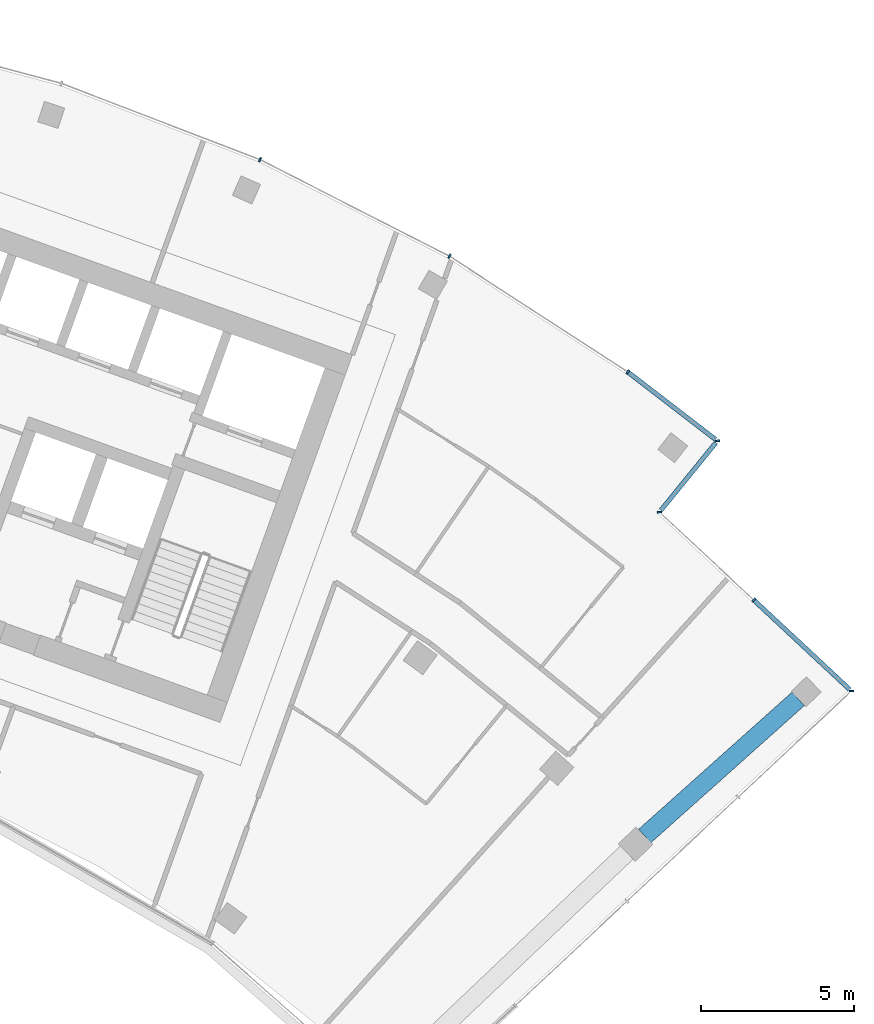
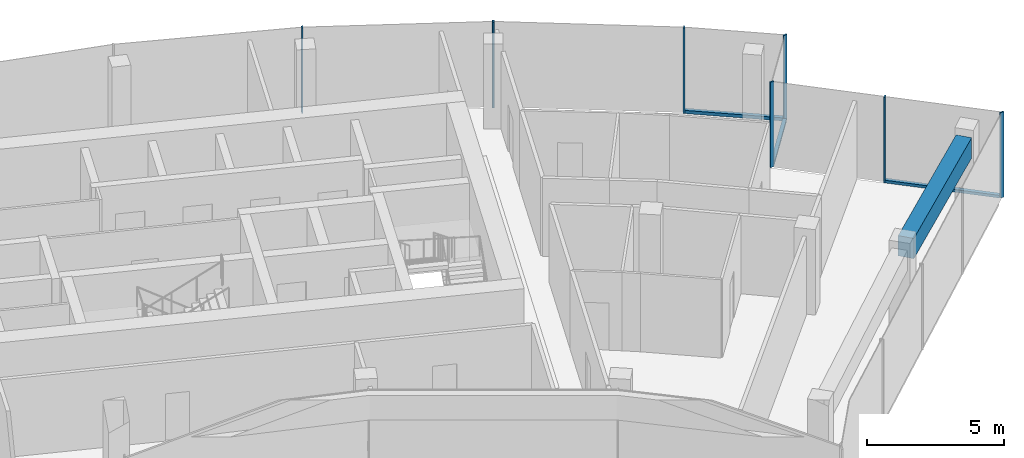
# One storey, part 9 of 18: 10 members, 1 beam, 3 elements without a shape of their own.
"""IFC4 building model written with IfcOpenShell, lengths in metres."""

import ifcopenshell
import ifcopenshell.guid

model = None  # the IFC model being written
_history = None  # IfcOwnerHistory: only IFC2X3 demands one
_inside = {}  # id of a spatial element -> (the spatial element, [elements in it])
_under = {}  # id of a project, library or spatial element -> (it, [spatial elements below it])
_declared = {}  # id of a project -> (the project, [libraries it declares])
_typed = {}  # id of a type object -> (the type object, [elements of that type])
_made_of = {}  # id of a material, layer set ... -> (it, [elements and type objects made of it])


def new_model(schema):
    """Start an empty IFC model of exactly this schema.

    Asked for "IFC4X3", IfcOpenShell would pick the latest addendum, in which some entities
    have other attributes; the version numbers below select the first issue.
    IFC2X3 requires an IfcOwnerHistory on every rooted entity: one is made here for all.
    """
    global model, _history
    if schema == "IFC4X3":
        model = ifcopenshell.file(schema_version=(4, 3, 0, 0))
    else:
        model = ifcopenshell.file(schema=schema)
    _inside.clear()
    _under.clear()
    _declared.clear()
    _typed.clear()
    _made_of.clear()
    _history = None
    if model.schema == "IFC2X3":
        org = make("IfcOrganization", Name="unknown")
        user = make(
            "IfcPersonAndOrganization",
            ThePerson=make("IfcPerson", FamilyName="unknown"),
            TheOrganization=org,
        )
        app = make(
            "IfcApplication",
            ApplicationDeveloper=org,
            Version="unknown",
            ApplicationFullName="unknown",
            ApplicationIdentifier="unknown",
        )
        _history = make(
            "IfcOwnerHistory",
            OwningUser=user,
            OwningApplication=app,
            ChangeAction="ADDED",
            CreationDate=0,
        )
    return model


def make(cls, **values):
    """One entity of the class cls with the attributes given. An attribute that is None is left unset."""
    return model.create_entity(
        cls, **{name: value for name, value in values.items() if value is not None}
    )


def rooted(cls, **values):
    """An entity with a GlobalId (a new one), such as an element, a storey or a relation."""
    return make(cls, GlobalId=ifcopenshell.guid.new(), OwnerHistory=_history, **values)


def si_unit(unit_type, name, prefix=None):
    """IfcSIUnit, for example si_unit("LENGTHUNIT", "METRE", prefix="MILLI")."""
    return make("IfcSIUnit", UnitType=unit_type, Prefix=prefix, Name=name)


def assignment(units):
    """IfcUnitAssignment: the units of a project."""
    return None if units is None else make("IfcUnitAssignment", Units=units)


def point(xyz):
    """IfcCartesianPoint."""
    return None if xyz is None else make("IfcCartesianPoint", Coordinates=xyz)


def direction(xyz):
    """IfcDirection."""
    return None if xyz is None else make("IfcDirection", DirectionRatios=xyz)


def frame(location, z_axis=None, x_axis=None):
    """IfcAxis2Placement3D, a coordinate frame: its origin and axes. An axis left out is left unset."""
    return make(
        "IfcAxis2Placement3D",
        Location=point(location),
        Axis=direction(z_axis),
        RefDirection=direction(x_axis),
    )


def frame_2d(location, x_axis=None):
    """IfcAxis2Placement2D, a coordinate frame in the plane: its origin and x axis."""
    return make(
        "IfcAxis2Placement2D", Location=point(location), RefDirection=direction(x_axis)
    )


def origin():
    """The frame at (0, 0, 0) with its axes left unset."""
    return frame((0.0, 0.0, 0.0))


def origin_2d():
    """The frame at (0, 0) in the plane with its x axis left unset."""
    return frame_2d((0.0, 0.0))


def place(relative_to, where):
    """IfcLocalPlacement: puts the frame where relative to a parent placement (None: the world)."""
    return make(
        "IfcLocalPlacement", PlacementRelTo=relative_to, RelativePlacement=where
    )


def context(
    kind, dimensions, precision=None, world=None, true_north=None, identifier=None
):
    """IfcGeometricRepresentationContext, for example the 3D "Model" context."""
    return make(
        "IfcGeometricRepresentationContext",
        ContextIdentifier=identifier,
        ContextType=kind,
        CoordinateSpaceDimension=dimensions,
        Precision=precision,
        WorldCoordinateSystem=world,
        TrueNorth=true_north,
    )


def subcontext(parent, identifier, kind, view, scale=None):
    """IfcGeometricRepresentationSubContext, for example "Body" below "Model"."""
    return make(
        "IfcGeometricRepresentationSubContext",
        ContextIdentifier=identifier,
        ContextType=kind,
        ParentContext=parent,
        TargetScale=scale,
        TargetView=view,
    )


def project(units=None, contexts=None):
    """IfcProject with its units and contexts."""
    return rooted(
        "IfcProject",
        Name="project",
        RepresentationContexts=contexts,
        UnitsInContext=assignment(units),
    )


def spatial(cls, under=None, at=None, **own):
    """A site, building, storey or space (cls), placed at a placement, below another one or the project."""
    s = rooted(cls, ObjectPlacement=at, **own)
    if under is not None:
        _under.setdefault(under.id(), (under, []))[1].append(s)
    return s


def profile(cls, at=None, kind="AREA", **sizes):
    """A parametric profile (cls). Its sizes go by their IFC names, for example OverallWidth=200.0."""
    return make(cls, ProfileType=kind, Position=at, **sizes)


def rectangle(**sizes):
    """IfcRectangleProfileDef."""
    return profile("IfcRectangleProfileDef", **sizes)


def extrude(swept, where, along, depth):
    """IfcExtrudedAreaSolid: the profile swept, set in the frame where, extruded along a direction by depth."""
    return make(
        "IfcExtrudedAreaSolid",
        SweptArea=swept,
        Position=where,
        ExtrudedDirection=direction(along),
        Depth=depth,
    )


def shape(context_of_items, identifier, shape_type, items):
    """IfcShapeRepresentation: the items that make up one representation, for example the "Body"."""
    return make(
        "IfcShapeRepresentation",
        ContextOfItems=context_of_items,
        RepresentationIdentifier=identifier,
        RepresentationType=shape_type,
        Items=items,
    )


def material(Name=None, Category=None):
    """IfcMaterial."""
    return make("IfcMaterial", Name=Name, Category=Category)


def layer(
    of_material, thickness, ventilated=None, Name=None, Category=None, Priority=None
):
    """IfcMaterialLayer: one layer of a wall or slab, of a material (None: an air gap)."""
    return make(
        "IfcMaterialLayer",
        Material=of_material,
        LayerThickness=thickness,
        IsVentilated=ventilated,
        Name=Name,
        Category=Category,
        Priority=Priority,
    )


def layer_set(layers, Name=None):
    """IfcMaterialLayerSet."""
    return make("IfcMaterialLayerSet", MaterialLayers=layers, LayerSetName=Name)


def material_profile(
    of_material, cross_section, Name=None, Category=None, Priority=None
):
    """IfcMaterialProfile: a cross section and its material."""
    return make(
        "IfcMaterialProfile",
        Name=Name,
        Material=of_material,
        Profile=cross_section,
        Priority=Priority,
        Category=Category,
    )


def profile_set(profiles, Name=None, composite=None):
    """IfcMaterialProfileSet."""
    return make(
        "IfcMaterialProfileSet",
        Name=Name,
        MaterialProfiles=profiles,
        CompositeProfile=composite,
    )


def made_of(thing, what):
    """Note that an element or type object is made of a material, layer set ...; save() writes the relation."""
    if what is not None:
        _made_of.setdefault(what.id(), (what, []))[1].append(thing)
    return thing


def type_object(cls, material=None, **own):
    """A type object (cls), such as IfcWallType, which elements share."""
    return made_of(rooted(cls, **own), material)


def element(
    cls,
    number,
    at=None,
    inside=None,
    cuts=None,
    type_object=None,
    material=None,
    context=None,
    identifier="Body",
    shape_type=None,
    held_by="IfcProductDefinitionShape",
    body=None,
    shapes=None,
    **own,
):
    """One element of the class cls, such as IfcWall. Its Tag is "e" and its number.

    at: its placement. inside: the storey or other place that contains it. cuts: it is an
    opening in that element (IfcRelVoidsElement). A single representation is given by context,
    identifier, shape_type and body (its items); several are given by shapes. held_by: the class
    of the entity that holds the representations. save() writes the other relations.
    """
    e = rooted(cls, Tag="e%d" % number, ObjectPlacement=at, **own)
    if body is not None:
        shapes = [shape(context, identifier, shape_type, body)]
    if shapes is not None:
        e.Representation = make(held_by, Representations=shapes)
    if inside is not None:
        _inside.setdefault(inside.id(), (inside, []))[1].append(e)
    if cuts is not None:
        rooted(
            "IfcRelVoidsElement", RelatingBuildingElement=cuts, RelatedOpeningElement=e
        )
    if type_object is not None:
        _typed.setdefault(type_object.id(), (type_object, []))[1].append(e)
    return made_of(e, material)


def aggregate(whole, parts):
    """IfcRelAggregates: a whole, such as a stair, and the parts it consists of."""
    return rooted("IfcRelAggregates", RelatingObject=whole, RelatedObjects=parts)


def save(model, path):
    """Write the relations noted so far, then the file.

    IfcRelAggregates (storeys below a building ...), IfcRelContainedInSpatialStructure (elements
    in a storey), IfcRelDefinesByType, IfcRelAssociatesMaterial and IfcRelDeclares: one each for
    every whole, place, type object, material and project.
    """
    for whole, parts in _under.values():
        aggregate(whole, parts)
    for where, things in _inside.values():
        rooted(
            "IfcRelContainedInSpatialStructure",
            RelatedElements=things,
            RelatingStructure=where,
        )
    for kind, things in _typed.values():
        rooted("IfcRelDefinesByType", RelatedObjects=things, RelatingType=kind)
    for what, things in _made_of.values():
        rooted("IfcRelAssociatesMaterial", RelatedObjects=things, RelatingMaterial=what)
    for by, libraries in _declared.values():
        rooted("IfcRelDeclares", RelatingContext=by, RelatedDefinitions=libraries)
    model.write(path)


model = new_model("IFC4")

# Units and contexts
model_context = context("Model", 3, precision=1e-05, world=origin(), true_north=direction((0.0, 1.0)))
body_context = subcontext(model_context, "Body", "Model", "MODEL_VIEW")
ifc_project = project(units=[si_unit("LENGTHUNIT", "METRE"), si_unit("AREAUNIT", "SQUARE_METRE"), si_unit("VOLUMEUNIT", "CUBIC_METRE"), si_unit("PLANEANGLEUNIT", "RADIAN"), si_unit("MASSUNIT", "GRAM", prefix="KILO")], contexts=[model_context])

# Site, building, storey
site_placement = place(None, origin())
site = spatial("IfcSite", under=ifc_project, at=site_placement, CompositionType="ELEMENT")
building_placement = place(site_placement, origin())
building = spatial("IfcBuilding", under=site, at=building_placement, Name="Stone Belt Terrace Tower", CompositionType="ELEMENT")
storey_placement = place(building_placement, frame((0.0, 0.0, 288.39990234375)))
storey = spatial("IfcBuildingStorey", under=building, at=storey_placement, Name="L70", CompositionType="ELEMENT", Elevation=288.39990234375)

# Curtain wall, members
ifc_material_1 = material(Name="Aluminium 6063-T6 anodised frame", Category="aluminium")
ifc_layer_1 = layer(ifc_material_1, 0.14990234375)
ifc_layer_set_1 = layer_set([ifc_layer_1], Name="CW-A unitised convex-face curtain wall")
curtain_wall_type_1 = type_object("IfcCurtainWallType", Name="CW-A unitised convex-face curtain wall", PredefinedType="NOTDEFINED", material=ifc_layer_set_1)
curtain_wall_1_placement = place(storey_placement, origin())
curtain_wall_1 = element("IfcCurtainWall", 1, at=curtain_wall_1_placement, inside=storey, type_object=curtain_wall_type_1, Name="CW-A convex face L70", PredefinedType="NOTDEFINED")
ifc_material_profile_1 = material_profile(ifc_material_1, rectangle(XDim=0.14990234375, YDim=0.06005859375, at=origin_2d()), Name="Aluminium 6063-T6 60x150")
ifc_profile_set_1 = profile_set([ifc_material_profile_1], Name="Aluminium 6063-T6 anodised frame")
member_type_1 = type_object("IfcMemberType", Name="CW-A mullion 60 x 150", PredefinedType="MULLION", material=ifc_profile_set_1)
member_1_placement = place(storey_placement, frame((42.068359375, 51.60205078125, 0.0), z_axis=(0.0, 0.0, 1.0), x_axis=(-0.993258004644, -0.115924700604, 0.0)))
member_1 = element("IfcMember", 2, at=member_1_placement, type_object=member_type_1, Name="CW-A mullion 1", PredefinedType="MULLION", context=body_context, shape_type="SweptSolid", body=[
    extrude(rectangle(XDim=0.14990234375, YDim=0.06005859375, at=origin_2d()), origin(), (0.0, 0.0, 1.0), 3.800048828125),
])
member_2_placement = place(storey_placement, frame((39.131103515625, 53.86083984375, 0.0), z_axis=(0.0, 0.0, 1.0), x_axis=(-0.577587125789, -0.816329046477, 0.0)))
member_2 = element("IfcMember", 3, at=member_2_placement, type_object=member_type_1, Name="CW-A mullion 2", PredefinedType="MULLION", context=body_context, shape_type="SweptSolid", body=[
    extrude(rectangle(XDim=0.14990234375, YDim=0.06005859375, at=origin_2d()), origin(), (0.0, 0.0, 1.0), 3.800048828125),
])
member_3_placement = place(storey_placement, frame((33.28759765625, 57.65576171875, 0.0), z_axis=(0.0, 0.0, 1.0), x_axis=(-0.5, -0.866025403784, 0.0)))
member_3 = element("IfcMember", 4, at=member_3_placement, type_object=member_type_1, Name="CW-A mullion 3", PredefinedType="MULLION", context=body_context, shape_type="SweptSolid", body=[
    extrude(rectangle(XDim=0.14990234375, YDim=0.06005859375, at=origin_2d()), origin(), (0.0, 0.0, 1.0), 3.800048828125),
])
member_4_placement = place(storey_placement, frame((27.07861328125, 60.8193359375, 0.0), z_axis=(0.0, 0.0, 1.0), x_axis=(-0.406736643076, -0.913545457643, 0.0)))
member_4 = element("IfcMember", 5, at=member_4_placement, type_object=member_type_1, Name="CW-A mullion 4", PredefinedType="MULLION", context=body_context, shape_type="SweptSolid", body=[
    extrude(rectangle(XDim=0.14990234375, YDim=0.06005859375, at=origin_2d()), origin(), (0.0, 0.0, 1.0), 3.800048828125),
])
ifc_material_profile_2 = material_profile(ifc_material_1, rectangle(XDim=0.14990234375, YDim=0.139892578125, at=origin_2d()), Name="Aluminium 6063-T6 150x140")
ifc_profile_set_2 = profile_set([ifc_material_profile_2], Name="Aluminium 6063-T6 anodised frame")
member_type_2 = type_object("IfcMemberType", Name="CW-A transom 140 x 150", PredefinedType="USERDEFINED", material=ifc_profile_set_2)
member_5_placement = place(storey_placement, frame((42.00927734375, 51.6474609375, 0.070068359375), z_axis=(-0.79269461464, 0.609618936648, 0.0), x_axis=(-0.609618936648, -0.79269461464, 0.0)))
member_5 = element("IfcMember", 6, at=member_5_placement, type_object=member_type_2, Name="CW-A transom 1.1", ObjectType="TRANSOM", PredefinedType="USERDEFINED", context=body_context, shape_type="SweptSolid", body=[
    extrude(rectangle(XDim=0.14990234375, YDim=0.139892578125, at=origin_2d()), origin(), (0.0, 0.0, 1.0), 3.597900390625),
])
aggregate(curtain_wall_1, [member_1, member_2, member_3, member_4, member_5])

ifc_layer_2 = layer(ifc_material_1, 0.14990234375)
ifc_layer_set_2 = layer_set([ifc_layer_2], Name="CW-C stick curtain wall, horn ends and notches")
curtain_wall_type_2 = type_object("IfcCurtainWallType", Name="CW-C stick curtain wall, horn ends and notches", PredefinedType="NOTDEFINED", material=ifc_layer_set_2)
curtain_wall_2_placement = place(storey_placement, origin())
curtain_wall_2 = element("IfcCurtainWall", 7, at=curtain_wall_2_placement, inside=storey, type_object=curtain_wall_type_2, Name="CW-C notch face L70", PredefinedType="NOTDEFINED")
ifc_material_profile_3 = material_profile(ifc_material_1, rectangle(XDim=0.14990234375, YDim=0.06005859375, at=origin_2d()), Name="Aluminium 6063-T6 60x150")
ifc_profile_set_3 = profile_set([ifc_material_profile_3], Name="Aluminium 6063-T6 anodised frame")
member_type_3 = type_object("IfcMemberType", Name="CW-C mullion 60 x 150", PredefinedType="MULLION", material=ifc_profile_set_3)
member_6_placement = place(storey_placement, frame((46.458740234375, 43.405517578125, 0.0), z_axis=(0.0, 0.0, 1.0), x_axis=(-0.999999447771, -0.00105093149, 0.0)))
member_6 = element("IfcMember", 8, at=member_6_placement, type_object=member_type_3, Name="CW-C mullion 1", PredefinedType="MULLION", context=body_context, shape_type="SweptSolid", body=[
    extrude(rectangle(XDim=0.14990234375, YDim=0.06005859375, at=origin_2d()), origin(), (0.0, 0.0, 1.0), 3.800048828125),
])
member_7_placement = place(storey_placement, frame((43.260009765625, 46.388671875, 0.0), z_axis=(0.0, 0.0, 1.0), x_axis=(-0.682013767261, -0.731339333871, 0.0)))
member_7 = element("IfcMember", 9, at=member_7_placement, type_object=member_type_3, Name="CW-C mullion 2", PredefinedType="MULLION", context=body_context, shape_type="SweptSolid", body=[
    extrude(rectangle(XDim=0.14990234375, YDim=0.06005859375, at=origin_2d()), origin(), (0.0, 0.0, 1.0), 3.800048828125),
])

# Curtain wall, member
curtain_wall_3_placement = place(storey_placement, origin())
curtain_wall_3 = element("IfcCurtainWall", 10, at=curtain_wall_3_placement, inside=storey, type_object=curtain_wall_type_2, Name="CW-C notch face L70", PredefinedType="NOTDEFINED")
member_8_placement = place(storey_placement, frame((40.1708984375, 49.269287109375, 0.0), z_axis=(0.0, 0.0, 1.0), x_axis=(-0.997639702696, -0.068666029474, 0.0)))
member_8 = element("IfcMember", 11, at=member_8_placement, type_object=member_type_3, Name="CW-C mullion 1", PredefinedType="MULLION", context=body_context, shape_type="SweptSolid", body=[
    extrude(rectangle(XDim=0.14990234375, YDim=0.06005859375, at=origin_2d()), origin(), (0.0, 0.0, 1.0), 3.800048828125),
])

# Member
ifc_material_profile_4 = material_profile(ifc_material_1, rectangle(XDim=0.14990234375, YDim=0.1201171875, at=origin_2d()), Name="Aluminium 6063-T6 150x120")
ifc_profile_set_4 = profile_set([ifc_material_profile_4], Name="Aluminium 6063-T6 anodised frame")
member_type_4 = type_object("IfcMemberType", Name="CW-C transom 120 x 150", PredefinedType="USERDEFINED", material=ifc_profile_set_4)
member_9_placement = place(storey_placement, frame((46.40380859375, 43.456787109375, 0.06005859375), z_axis=(-0.731353784958, 0.681998270693, 0.0), x_axis=(-0.681998270693, -0.731353784958, 0.0)))
member_9 = element("IfcMember", 12, at=member_9_placement, type_object=member_type_4, Name="CW-C transom 1.1", ObjectType="TRANSOM", PredefinedType="USERDEFINED", context=body_context, shape_type="SweptSolid", body=[
    extrude(rectangle(XDim=0.14990234375, YDim=0.1201171875, at=origin_2d()), origin(), (0.0, 0.0, 1.0), 4.268798828125),
])

aggregate(curtain_wall_2, [member_6, member_7, member_9])

member_10_placement = place(storey_placement, frame((40.217041015625, 49.325927734375, 0.06005859375), z_axis=(0.631026504781, 0.775761271439, 0.0), x_axis=(-0.775761271439, 0.631026504781, 0.0)))
member_10 = element("IfcMember", 13, at=member_10_placement, type_object=member_type_4, Name="CW-C transom 1.1", ObjectType="TRANSOM", PredefinedType="USERDEFINED", context=body_context, shape_type="SweptSolid", body=[
    extrude(rectangle(XDim=0.14990234375, YDim=0.1201171875, at=origin_2d()), origin(), (0.0, 0.0, 1.0), 2.859130859375),
])

aggregate(curtain_wall_3, [member_8, member_10])

# Beam
ifc_material_2 = material(Name="Concrete B60", Category="concrete")
ifc_material_profile_5 = material_profile(ifc_material_2, rectangle(XDim=0.60009765625, YDim=0.89990234375, at=origin_2d()), Name="RC 600x900")
ifc_profile_set_5 = profile_set([ifc_material_profile_5], Name="Concrete B60")
beam_type = type_object("IfcBeamType", Name="Edge beam RC 600x900 B60", PredefinedType="SPANDREL", material=ifc_profile_set_5)
beam_placement = place(storey_placement, frame((39.68701171875, 38.65380859375, 3.030029296875), z_axis=(0.745651125692, 0.666336550666, 0.0), x_axis=(-0.666336550666, 0.745651125692, 0.0)))
element("IfcBeam", 14, at=beam_placement, inside=storey, type_object=beam_type, Name="Edge beam L70 B Q to R", PredefinedType="SPANDREL", context=body_context, shape_type="SweptSolid", body=[
    extrude(rectangle(XDim=0.60009765625, YDim=0.89990234375, at=origin_2d()), origin(), (0.0, 0.0, 1.0), 6.744140625),
])

save(model, "model.ifc")
